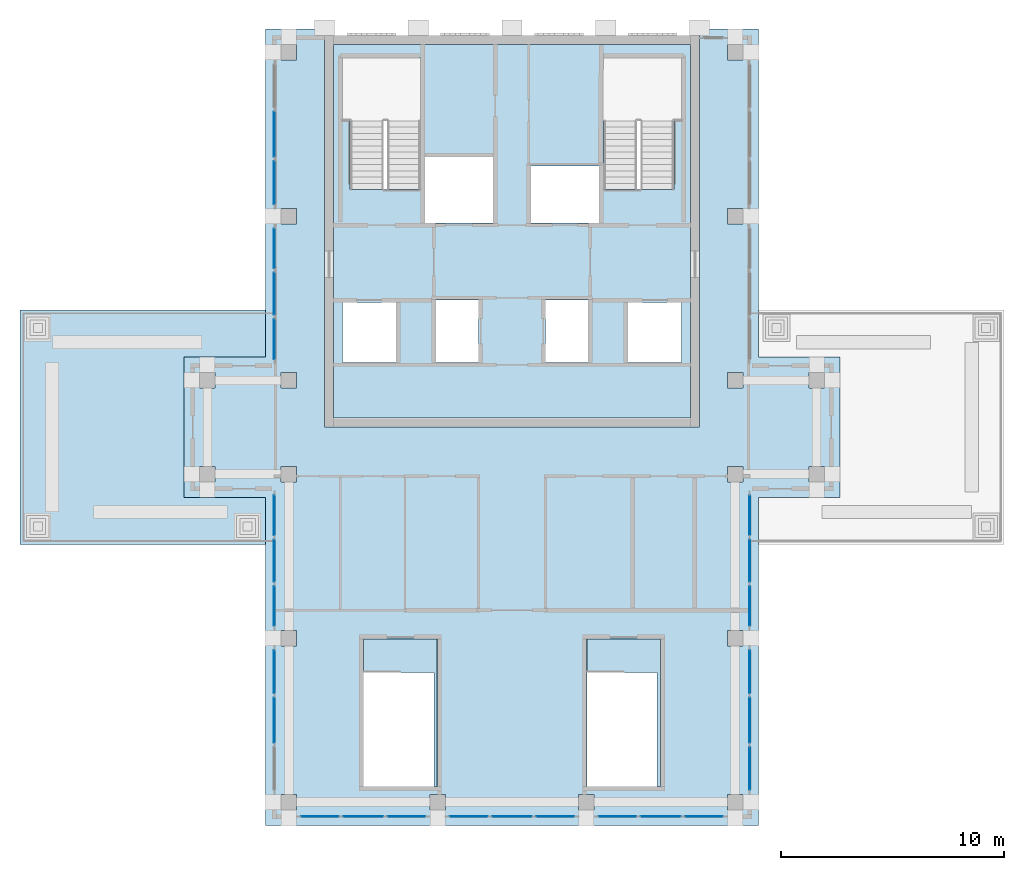
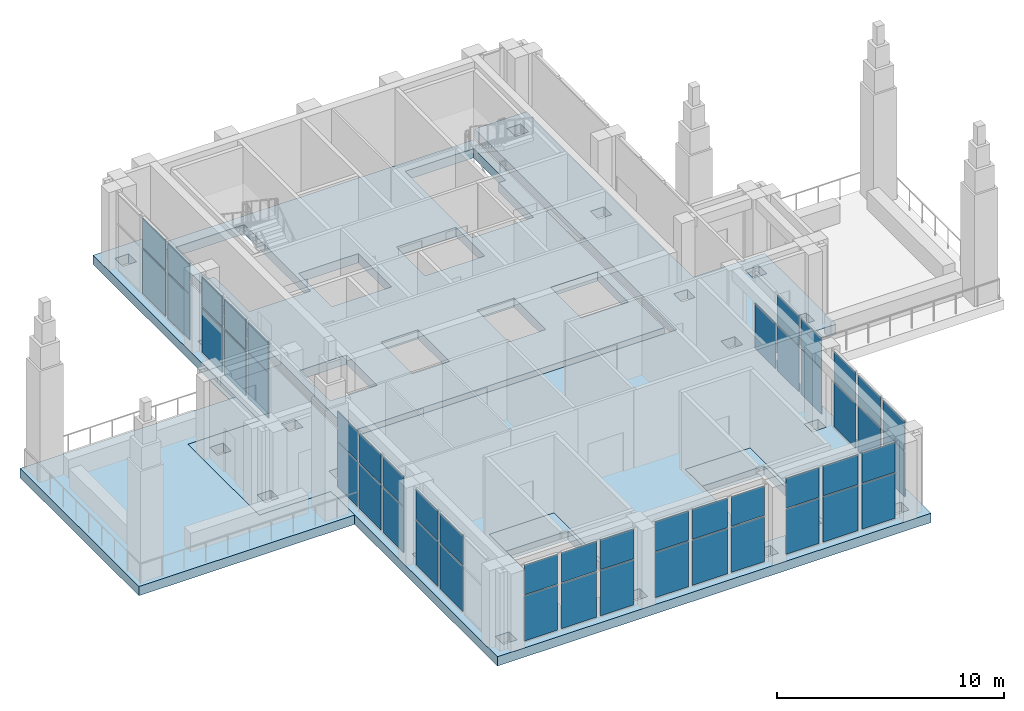
# One storey, part 5 of 12: 49 plates, 5 slabs, 9 elements without a shape of their own.
"""IFC4 building model written with IfcOpenShell, lengths in metres."""

from ifc_helpers import new_model, si_unit, direction, frame, origin, origin_2d, place, context, subcontext, project, spatial, polyline, rectangle, outline, extrude, material, layer, layer_set, type_object, element, aggregate, save


model = new_model("IFC4")

# Units and contexts
model_context = context("Model", 3, precision=1e-05, world=origin(), true_north=direction((0.0, 1.0)))
body_context = subcontext(model_context, "Body", "Model", "MODEL_VIEW")
ifc_project = project(units=[si_unit("LENGTHUNIT", "METRE"), si_unit("AREAUNIT", "SQUARE_METRE"), si_unit("VOLUMEUNIT", "CUBIC_METRE"), si_unit("PLANEANGLEUNIT", "RADIAN"), si_unit("MASSUNIT", "GRAM", prefix="KILO")], contexts=[model_context])

# Site, building, storey
site_placement = place(None, origin())
site = spatial("IfcSite", under=ifc_project, at=site_placement, CompositionType="ELEMENT")
building_placement = place(site_placement, origin())
building = spatial("IfcBuilding", under=site, at=building_placement, Name="Vermilion Ogive Tower", CompositionType="ELEMENT")
storey_placement = place(building_placement, frame((0.0, 0.0, 298.35009765625)))
storey = spatial("IfcBuildingStorey", under=building, at=storey_placement, Name="L77", CompositionType="ELEMENT", Elevation=298.35009765625)

# Curtain wall, plates
ifc_material_1 = material(Name="Low-iron laminated glazing in aluminium frame", Category="aluminium")
curtain_wall_type = type_object("IfcCurtainWallType", Name="Curtain wall CW3", PredefinedType="NOTDEFINED", material=ifc_material_1)
curtain_wall_1_placement = place(storey_placement, origin())
curtain_wall_1 = element("IfcCurtainWall", 1, at=curtain_wall_1_placement, inside=storey, type_object=curtain_wall_type, Name="CW3 glazing S2", PredefinedType="NOTDEFINED")
ifc_material_2 = material(Name="Low-iron laminated glazing in aluminium frame", Category="aluminium")
ifc_layer_1 = layer(ifc_material_2, 0.035888671875)
ifc_layer_set_1 = layer_set([ifc_layer_1], Name="CW3 glazing panel 36")
plate_type = type_object("IfcPlateType", Name="CW3 glazing panel 36", PredefinedType="CURTAIN_PANEL", material=ifc_layer_set_1)
plate_1_placement = place(storey_placement, frame((-8.60546875, -13.25, 0.06005859375), z_axis=(0.0, 0.0, 1.0), x_axis=(1.0, 0.0, 0.0)))
plate_1 = element("IfcPlate", 2, at=plate_1_placement, type_object=plate_type, Name="CW3-S2 panel 1.1", PredefinedType="CURTAIN_PANEL", context=body_context, shape_type="SweptSolid", body=[
    extrude(rectangle(XDim=1.68896484375, YDim=0.035888671875, at=origin_2d()), origin(), (0.0, 0.0, 1.0), 2.429931640625),
])
plate_2_placement = place(storey_placement, frame((-8.60546875, -13.25, 2.5498046875), z_axis=(0.0, 0.0, 1.0), x_axis=(1.0, 0.0, 0.0)))
plate_2 = element("IfcPlate", 3, at=plate_2_placement, type_object=plate_type, Name="CW3-S2 panel 1.2", PredefinedType="CURTAIN_PANEL", context=body_context, shape_type="SweptSolid", body=[
    extrude(rectangle(XDim=1.68896484375, YDim=0.035888671875, at=origin_2d()), origin(), (0.0, 0.0, 1.0), 1.590087890625),
])
plate_3_placement = place(storey_placement, frame((-6.666748046875, -13.25, 0.06005859375), z_axis=(0.0, 0.0, 1.0), x_axis=(1.0, 0.0, 0.0)))
plate_3 = element("IfcPlate", 4, at=plate_3_placement, type_object=plate_type, Name="CW3-S2 panel 2.1", PredefinedType="CURTAIN_PANEL", context=body_context, shape_type="SweptSolid", body=[
    extrude(rectangle(XDim=1.788818359375, YDim=0.035888671875, at=origin_2d()), origin(), (0.0, 0.0, 1.0), 2.429931640625),
])
plate_4_placement = place(storey_placement, frame((-6.666748046875, -13.25, 2.5498046875), z_axis=(0.0, 0.0, 1.0), x_axis=(1.0, 0.0, 0.0)))
plate_4 = element("IfcPlate", 5, at=plate_4_placement, type_object=plate_type, Name="CW3-S2 panel 2.2", PredefinedType="CURTAIN_PANEL", context=body_context, shape_type="SweptSolid", body=[
    extrude(rectangle(XDim=1.788818359375, YDim=0.035888671875, at=origin_2d()), origin(), (0.0, 0.0, 1.0), 1.590087890625),
])
plate_5_placement = place(storey_placement, frame((-4.727783203125, -13.25, 0.06005859375), z_axis=(0.0, 0.0, 1.0), x_axis=(1.0, 0.0, 0.0)))
plate_5 = element("IfcPlate", 6, at=plate_5_placement, type_object=plate_type, Name="CW3-S2 panel 3.1", PredefinedType="CURTAIN_PANEL", context=body_context, shape_type="SweptSolid", body=[
    extrude(rectangle(XDim=1.68896484375, YDim=0.035888671875, at=origin_2d()), origin(), (0.0, 0.0, 1.0), 2.429931640625),
])
plate_6_placement = place(storey_placement, frame((-4.727783203125, -13.25, 2.5498046875), z_axis=(0.0, 0.0, 1.0), x_axis=(1.0, 0.0, 0.0)))
plate_6 = element("IfcPlate", 7, at=plate_6_placement, type_object=plate_type, Name="CW3-S2 panel 3.2", PredefinedType="CURTAIN_PANEL", context=body_context, shape_type="SweptSolid", body=[
    extrude(rectangle(XDim=1.68896484375, YDim=0.035888671875, at=origin_2d()), origin(), (0.0, 0.0, 1.0), 1.590087890625),
])
aggregate(curtain_wall_1, [plate_1, plate_2, plate_3, plate_4, plate_5, plate_6])

curtain_wall_2_placement = place(storey_placement, origin())
curtain_wall_2 = element("IfcCurtainWall", 8, at=curtain_wall_2_placement, inside=storey, type_object=curtain_wall_type, Name="CW3 glazing S3", PredefinedType="NOTDEFINED")
plate_7_placement = place(storey_placement, frame((-1.93896484375, -13.25, 0.06005859375), z_axis=(0.0, 0.0, 1.0), x_axis=(1.0, 0.0, 0.0)))
plate_7 = element("IfcPlate", 9, at=plate_7_placement, type_object=plate_type, Name="CW3-S3 panel 1.1", PredefinedType="CURTAIN_PANEL", context=body_context, shape_type="SweptSolid", body=[
    extrude(rectangle(XDim=1.68896484375, YDim=0.035888671875, at=origin_2d()), origin(), (0.0, 0.0, 1.0), 2.429931640625),
])
plate_8_placement = place(storey_placement, frame((-1.93896484375, -13.25, 2.5498046875), z_axis=(0.0, 0.0, 1.0), x_axis=(1.0, 0.0, 0.0)))
plate_8 = element("IfcPlate", 10, at=plate_8_placement, type_object=plate_type, Name="CW3-S3 panel 1.2", PredefinedType="CURTAIN_PANEL", context=body_context, shape_type="SweptSolid", body=[
    extrude(rectangle(XDim=1.68896484375, YDim=0.035888671875, at=origin_2d()), origin(), (0.0, 0.0, 1.0), 1.590087890625),
])
plate_9_placement = place(storey_placement, frame((0.0, -13.25, 0.06005859375), z_axis=(0.0, 0.0, 1.0), x_axis=(1.0, 0.0, 0.0)))
plate_9 = element("IfcPlate", 11, at=plate_9_placement, type_object=plate_type, Name="CW3-S3 panel 2.1", PredefinedType="CURTAIN_PANEL", context=body_context, shape_type="SweptSolid", body=[
    extrude(rectangle(XDim=1.788818359375, YDim=0.035888671875, at=origin_2d()), origin(), (0.0, 0.0, 1.0), 2.429931640625),
])
plate_10_placement = place(storey_placement, frame((0.0, -13.25, 2.5498046875), z_axis=(0.0, 0.0, 1.0), x_axis=(1.0, 0.0, 0.0)))
plate_10 = element("IfcPlate", 12, at=plate_10_placement, type_object=plate_type, Name="CW3-S3 panel 2.2", PredefinedType="CURTAIN_PANEL", context=body_context, shape_type="SweptSolid", body=[
    extrude(rectangle(XDim=1.788818359375, YDim=0.035888671875, at=origin_2d()), origin(), (0.0, 0.0, 1.0), 1.590087890625),
])
plate_11_placement = place(storey_placement, frame((1.93896484375, -13.25, 0.06005859375), z_axis=(0.0, 0.0, 1.0), x_axis=(1.0, 0.0, 0.0)))
plate_11 = element("IfcPlate", 13, at=plate_11_placement, type_object=plate_type, Name="CW3-S3 panel 3.1", PredefinedType="CURTAIN_PANEL", context=body_context, shape_type="SweptSolid", body=[
    extrude(rectangle(XDim=1.68896484375, YDim=0.035888671875, at=origin_2d()), origin(), (0.0, 0.0, 1.0), 2.429931640625),
])
plate_12_placement = place(storey_placement, frame((1.93896484375, -13.25, 2.5498046875), z_axis=(0.0, 0.0, 1.0), x_axis=(1.0, 0.0, 0.0)))
plate_12 = element("IfcPlate", 14, at=plate_12_placement, type_object=plate_type, Name="CW3-S3 panel 3.2", PredefinedType="CURTAIN_PANEL", context=body_context, shape_type="SweptSolid", body=[
    extrude(rectangle(XDim=1.68896484375, YDim=0.035888671875, at=origin_2d()), origin(), (0.0, 0.0, 1.0), 1.590087890625),
])
aggregate(curtain_wall_2, [plate_7, plate_8, plate_9, plate_10, plate_11, plate_12])

curtain_wall_3_placement = place(storey_placement, origin())
curtain_wall_3 = element("IfcCurtainWall", 15, at=curtain_wall_3_placement, inside=storey, type_object=curtain_wall_type, Name="CW3 glazing S4", PredefinedType="NOTDEFINED")
plate_13_placement = place(storey_placement, frame((4.727783203125, -13.25, 0.06005859375), z_axis=(0.0, 0.0, 1.0), x_axis=(1.0, 0.0, 0.0)))
plate_13 = element("IfcPlate", 16, at=plate_13_placement, type_object=plate_type, Name="CW3-S4 panel 1.1", PredefinedType="CURTAIN_PANEL", context=body_context, shape_type="SweptSolid", body=[
    extrude(rectangle(XDim=1.68896484375, YDim=0.035888671875, at=origin_2d()), origin(), (0.0, 0.0, 1.0), 2.429931640625),
])
plate_14_placement = place(storey_placement, frame((4.727783203125, -13.25, 2.5498046875), z_axis=(0.0, 0.0, 1.0), x_axis=(1.0, 0.0, 0.0)))
plate_14 = element("IfcPlate", 17, at=plate_14_placement, type_object=plate_type, Name="CW3-S4 panel 1.2", PredefinedType="CURTAIN_PANEL", context=body_context, shape_type="SweptSolid", body=[
    extrude(rectangle(XDim=1.68896484375, YDim=0.035888671875, at=origin_2d()), origin(), (0.0, 0.0, 1.0), 1.590087890625),
])
plate_15_placement = place(storey_placement, frame((6.666748046875, -13.25, 0.06005859375), z_axis=(0.0, 0.0, 1.0), x_axis=(1.0, 0.0, 0.0)))
plate_15 = element("IfcPlate", 18, at=plate_15_placement, type_object=plate_type, Name="CW3-S4 panel 2.1", PredefinedType="CURTAIN_PANEL", context=body_context, shape_type="SweptSolid", body=[
    extrude(rectangle(XDim=1.788818359375, YDim=0.035888671875, at=origin_2d()), origin(), (0.0, 0.0, 1.0), 2.429931640625),
])
plate_16_placement = place(storey_placement, frame((6.666748046875, -13.25, 2.5498046875), z_axis=(0.0, 0.0, 1.0), x_axis=(1.0, 0.0, 0.0)))
plate_16 = element("IfcPlate", 19, at=plate_16_placement, type_object=plate_type, Name="CW3-S4 panel 2.2", PredefinedType="CURTAIN_PANEL", context=body_context, shape_type="SweptSolid", body=[
    extrude(rectangle(XDim=1.788818359375, YDim=0.035888671875, at=origin_2d()), origin(), (0.0, 0.0, 1.0), 1.590087890625),
])
plate_17_placement = place(storey_placement, frame((8.60546875, -13.25, 0.06005859375), z_axis=(0.0, 0.0, 1.0), x_axis=(1.0, 0.0, 0.0)))
plate_17 = element("IfcPlate", 20, at=plate_17_placement, type_object=plate_type, Name="CW3-S4 panel 3.1", PredefinedType="CURTAIN_PANEL", context=body_context, shape_type="SweptSolid", body=[
    extrude(rectangle(XDim=1.68896484375, YDim=0.035888671875, at=origin_2d()), origin(), (0.0, 0.0, 1.0), 2.429931640625),
])
plate_18_placement = place(storey_placement, frame((8.60546875, -13.25, 2.5498046875), z_axis=(0.0, 0.0, 1.0), x_axis=(1.0, 0.0, 0.0)))
plate_18 = element("IfcPlate", 21, at=plate_18_placement, type_object=plate_type, Name="CW3-S4 panel 3.2", PredefinedType="CURTAIN_PANEL", context=body_context, shape_type="SweptSolid", body=[
    extrude(rectangle(XDim=1.68896484375, YDim=0.035888671875, at=origin_2d()), origin(), (0.0, 0.0, 1.0), 1.590087890625),
])
aggregate(curtain_wall_3, [plate_13, plate_14, plate_15, plate_16, plate_17, plate_18])

curtain_wall_4_placement = place(storey_placement, origin())
curtain_wall_4 = element("IfcCurtainWall", 22, at=curtain_wall_4_placement, inside=storey, type_object=curtain_wall_type, Name="CW3 glazing X12", PredefinedType="NOTDEFINED")
plate_19_placement = place(storey_placement, frame((10.64990234375, -11.091552734375, 0.06005859375), z_axis=(0.0, 0.0, 1.0), x_axis=(0.0, 1.0, 0.0)))
plate_19 = element("IfcPlate", 23, at=plate_19_placement, type_object=plate_type, Name="CW3-X12 panel 1.1", PredefinedType="CURTAIN_PANEL", context=body_context, shape_type="SweptSolid", body=[
    extrude(rectangle(XDim=1.916748046875, YDim=0.035888671875, at=origin_2d()), origin(), (0.0, 0.0, 1.0), 2.429931640625),
])
plate_20_placement = place(storey_placement, frame((10.64990234375, -11.091552734375, 2.5498046875), z_axis=(0.0, 0.0, 1.0), x_axis=(0.0, 1.0, 0.0)))
plate_20 = element("IfcPlate", 24, at=plate_20_placement, type_object=plate_type, Name="CW3-X12 panel 1.2", PredefinedType="CURTAIN_PANEL", context=body_context, shape_type="SweptSolid", body=[
    extrude(rectangle(XDim=1.916748046875, YDim=0.035888671875, at=origin_2d()), origin(), (0.0, 0.0, 1.0), 1.590087890625),
])
plate_21_placement = place(storey_placement, frame((10.64990234375, -8.925048828125, 0.06005859375), z_axis=(0.0, 0.0, 1.0), x_axis=(0.0, 1.0, 0.0)))
plate_21 = element("IfcPlate", 25, at=plate_21_placement, type_object=plate_type, Name="CW3-X12 panel 2.1", PredefinedType="CURTAIN_PANEL", context=body_context, shape_type="SweptSolid", body=[
    extrude(rectangle(XDim=2.0166015625, YDim=0.035888671875, at=origin_2d()), origin(), (0.0, 0.0, 1.0), 2.429931640625),
])
plate_22_placement = place(storey_placement, frame((10.64990234375, -8.925048828125, 2.5498046875), z_axis=(0.0, 0.0, 1.0), x_axis=(0.0, 1.0, 0.0)))
plate_22 = element("IfcPlate", 26, at=plate_22_placement, type_object=plate_type, Name="CW3-X12 panel 2.2", PredefinedType="CURTAIN_PANEL", context=body_context, shape_type="SweptSolid", body=[
    extrude(rectangle(XDim=2.0166015625, YDim=0.035888671875, at=origin_2d()), origin(), (0.0, 0.0, 1.0), 1.590087890625),
])
plate_23_placement = place(storey_placement, frame((10.64990234375, -6.75830078125, 0.06005859375), z_axis=(0.0, 0.0, 1.0), x_axis=(0.0, 1.0, 0.0)))
plate_23 = element("IfcPlate", 27, at=plate_23_placement, type_object=plate_type, Name="CW3-X12 panel 3.1", PredefinedType="CURTAIN_PANEL", context=body_context, shape_type="SweptSolid", body=[
    extrude(rectangle(XDim=1.916748046875, YDim=0.035888671875, at=origin_2d()), origin(), (0.0, 0.0, 1.0), 2.429931640625),
])
plate_24_placement = place(storey_placement, frame((10.64990234375, -6.75830078125, 2.5498046875), z_axis=(0.0, 0.0, 1.0), x_axis=(0.0, 1.0, 0.0)))
plate_24 = element("IfcPlate", 28, at=plate_24_placement, type_object=plate_type, Name="CW3-X12 panel 3.2", PredefinedType="CURTAIN_PANEL", context=body_context, shape_type="SweptSolid", body=[
    extrude(rectangle(XDim=1.916748046875, YDim=0.035888671875, at=origin_2d()), origin(), (0.0, 0.0, 1.0), 1.590087890625),
])
aggregate(curtain_wall_4, [plate_19, plate_20, plate_21, plate_22, plate_23, plate_24])

curtain_wall_5_placement = place(storey_placement, origin())
curtain_wall_5 = element("IfcCurtainWall", 29, at=curtain_wall_5_placement, inside=storey, type_object=curtain_wall_type, Name="CW3 glazing X13", PredefinedType="NOTDEFINED")
plate_25_placement = place(storey_placement, frame((10.64990234375, -3.808349609375, 0.06005859375), z_axis=(0.0, 0.0, 1.0), x_axis=(0.0, 1.0, 0.0)))
plate_25 = element("IfcPlate", 30, at=plate_25_placement, type_object=plate_type, Name="CW3-X13 panel 1.1", PredefinedType="CURTAIN_PANEL", context=body_context, shape_type="SweptSolid", body=[
    extrude(rectangle(XDim=1.783447265625, YDim=0.035888671875, at=origin_2d()), origin(), (0.0, 0.0, 1.0), 2.429931640625),
])
plate_26_placement = place(storey_placement, frame((10.64990234375, -3.808349609375, 2.5498046875), z_axis=(0.0, 0.0, 1.0), x_axis=(0.0, 1.0, 0.0)))
plate_26 = element("IfcPlate", 31, at=plate_26_placement, type_object=plate_type, Name="CW3-X13 panel 1.2", PredefinedType="CURTAIN_PANEL", context=body_context, shape_type="SweptSolid", body=[
    extrude(rectangle(XDim=1.783447265625, YDim=0.035888671875, at=origin_2d()), origin(), (0.0, 0.0, 1.0), 1.590087890625),
])
plate_27_placement = place(storey_placement, frame((10.64990234375, -1.77490234375, 0.06005859375), z_axis=(0.0, 0.0, 1.0), x_axis=(0.0, 1.0, 0.0)))
plate_27 = element("IfcPlate", 32, at=plate_27_placement, type_object=plate_type, Name="CW3-X13 panel 2.1", PredefinedType="CURTAIN_PANEL", context=body_context, shape_type="SweptSolid", body=[
    extrude(rectangle(XDim=1.88330078125, YDim=0.035888671875, at=origin_2d()), origin(), (0.0, 0.0, 1.0), 2.429931640625),
])
plate_28_placement = place(storey_placement, frame((10.64990234375, -1.77490234375, 2.5498046875), z_axis=(0.0, 0.0, 1.0), x_axis=(0.0, 1.0, 0.0)))
plate_28 = element("IfcPlate", 33, at=plate_28_placement, type_object=plate_type, Name="CW3-X13 panel 2.2", PredefinedType="CURTAIN_PANEL", context=body_context, shape_type="SweptSolid", body=[
    extrude(rectangle(XDim=1.88330078125, YDim=0.035888671875, at=origin_2d()), origin(), (0.0, 0.0, 1.0), 1.590087890625),
])
plate_29_placement = place(storey_placement, frame((10.64990234375, 0.25830078125, 0.06005859375), z_axis=(0.0, 0.0, 1.0), x_axis=(0.0, 1.0, 0.0)))
plate_29 = element("IfcPlate", 34, at=plate_29_placement, type_object=plate_type, Name="CW3-X13 panel 3.1", PredefinedType="CURTAIN_PANEL", context=body_context, shape_type="SweptSolid", body=[
    extrude(rectangle(XDim=1.783447265625, YDim=0.035888671875, at=origin_2d()), origin(), (0.0, 0.0, 1.0), 2.429931640625),
])
aggregate(curtain_wall_5, [plate_25, plate_26, plate_27, plate_28, plate_29])

curtain_wall_6_placement = place(storey_placement, origin())
curtain_wall_6 = element("IfcCurtainWall", 35, at=curtain_wall_6_placement, inside=storey, type_object=curtain_wall_type, Name="CW3 glazing X52", PredefinedType="NOTDEFINED")
plate_30_placement = place(storey_placement, frame((-10.64990234375, 17.324951171875, 0.06005859375), z_axis=(0.0, 0.0, 1.0), x_axis=(0.0, -1.0, 0.0)))
plate_30 = element("IfcPlate", 36, at=plate_30_placement, type_object=plate_type, Name="CW3-X52 panel 2.1", PredefinedType="CURTAIN_PANEL", context=body_context, shape_type="SweptSolid", body=[
    extrude(rectangle(XDim=2.0166015625, YDim=0.035888671875, at=origin_2d()), origin(), (0.0, 0.0, 1.0), 2.429931640625),
])
plate_31_placement = place(storey_placement, frame((-10.64990234375, 17.324951171875, 2.5498046875), z_axis=(0.0, 0.0, 1.0), x_axis=(0.0, -1.0, 0.0)))
plate_31 = element("IfcPlate", 37, at=plate_31_placement, type_object=plate_type, Name="CW3-X52 panel 2.2", PredefinedType="CURTAIN_PANEL", context=body_context, shape_type="SweptSolid", body=[
    extrude(rectangle(XDim=2.0166015625, YDim=0.035888671875, at=origin_2d()), origin(), (0.0, 0.0, 1.0), 1.590087890625),
])
plate_32_placement = place(storey_placement, frame((-10.64990234375, 15.158447265625, 0.06005859375), z_axis=(0.0, 0.0, 1.0), x_axis=(0.0, -1.0, 0.0)))
plate_32 = element("IfcPlate", 38, at=plate_32_placement, type_object=plate_type, Name="CW3-X52 panel 3.1", PredefinedType="CURTAIN_PANEL", context=body_context, shape_type="SweptSolid", body=[
    extrude(rectangle(XDim=1.916748046875, YDim=0.035888671875, at=origin_2d()), origin(), (0.0, 0.0, 1.0), 2.429931640625),
])
plate_33_placement = place(storey_placement, frame((-10.64990234375, 15.158447265625, 2.5498046875), z_axis=(0.0, 0.0, 1.0), x_axis=(0.0, -1.0, 0.0)))
plate_33 = element("IfcPlate", 39, at=plate_33_placement, type_object=plate_type, Name="CW3-X52 panel 3.2", PredefinedType="CURTAIN_PANEL", context=body_context, shape_type="SweptSolid", body=[
    extrude(rectangle(XDim=1.916748046875, YDim=0.035888671875, at=origin_2d()), origin(), (0.0, 0.0, 1.0), 1.590087890625),
])
aggregate(curtain_wall_6, [plate_30, plate_31, plate_32, plate_33])

curtain_wall_7_placement = place(storey_placement, origin())
curtain_wall_7 = element("IfcCurtainWall", 40, at=curtain_wall_7_placement, inside=storey, type_object=curtain_wall_type, Name="CW3 glazing X53", PredefinedType="NOTDEFINED")
plate_34_placement = place(storey_placement, frame((-10.64990234375, 12.208251953125, 0.06005859375), z_axis=(0.0, 0.0, 1.0), x_axis=(0.0, -1.0, 0.0)))
plate_34 = element("IfcPlate", 41, at=plate_34_placement, type_object=plate_type, Name="CW3-X53 panel 1.1", PredefinedType="CURTAIN_PANEL", context=body_context, shape_type="SweptSolid", body=[
    extrude(rectangle(XDim=1.783447265625, YDim=0.035888671875, at=origin_2d()), origin(), (0.0, 0.0, 1.0), 2.429931640625),
])
plate_35_placement = place(storey_placement, frame((-10.64990234375, 12.208251953125, 2.5498046875), z_axis=(0.0, 0.0, 1.0), x_axis=(0.0, -1.0, 0.0)))
plate_35 = element("IfcPlate", 42, at=plate_35_placement, type_object=plate_type, Name="CW3-X53 panel 1.2", PredefinedType="CURTAIN_PANEL", context=body_context, shape_type="SweptSolid", body=[
    extrude(rectangle(XDim=1.783447265625, YDim=0.035888671875, at=origin_2d()), origin(), (0.0, 0.0, 1.0), 1.590087890625),
])
plate_36_placement = place(storey_placement, frame((-10.64990234375, 10.175048828125, 0.06005859375), z_axis=(0.0, 0.0, 1.0), x_axis=(0.0, -1.0, 0.0)))
plate_36 = element("IfcPlate", 43, at=plate_36_placement, type_object=plate_type, Name="CW3-X53 panel 2.1", PredefinedType="CURTAIN_PANEL", context=body_context, shape_type="SweptSolid", body=[
    extrude(rectangle(XDim=1.88330078125, YDim=0.035888671875, at=origin_2d()), origin(), (0.0, 0.0, 1.0), 2.429931640625),
])
plate_37_placement = place(storey_placement, frame((-10.64990234375, 10.175048828125, 2.5498046875), z_axis=(0.0, 0.0, 1.0), x_axis=(0.0, -1.0, 0.0)))
plate_37 = element("IfcPlate", 44, at=plate_37_placement, type_object=plate_type, Name="CW3-X53 panel 2.2", PredefinedType="CURTAIN_PANEL", context=body_context, shape_type="SweptSolid", body=[
    extrude(rectangle(XDim=1.88330078125, YDim=0.035888671875, at=origin_2d()), origin(), (0.0, 0.0, 1.0), 1.590087890625),
])
plate_38_placement = place(storey_placement, frame((-10.64990234375, 8.1416015625, 0.06005859375), z_axis=(0.0, 0.0, 1.0), x_axis=(0.0, -1.0, 0.0)))
plate_38 = element("IfcPlate", 45, at=plate_38_placement, type_object=plate_type, Name="CW3-X53 panel 3.1", PredefinedType="CURTAIN_PANEL", context=body_context, shape_type="SweptSolid", body=[
    extrude(rectangle(XDim=1.783447265625, YDim=0.035888671875, at=origin_2d()), origin(), (0.0, 0.0, 1.0), 2.429931640625),
])
plate_39_placement = place(storey_placement, frame((-10.64990234375, 8.1416015625, 2.5498046875), z_axis=(0.0, 0.0, 1.0), x_axis=(0.0, -1.0, 0.0)))
plate_39 = element("IfcPlate", 46, at=plate_39_placement, type_object=plate_type, Name="CW3-X53 panel 3.2", PredefinedType="CURTAIN_PANEL", context=body_context, shape_type="SweptSolid", body=[
    extrude(rectangle(XDim=1.783447265625, YDim=0.035888671875, at=origin_2d()), origin(), (0.0, 0.0, 1.0), 1.590087890625),
])
aggregate(curtain_wall_7, [plate_34, plate_35, plate_36, plate_37, plate_38, plate_39])

curtain_wall_8_placement = place(storey_placement, origin())
curtain_wall_8 = element("IfcCurtainWall", 47, at=curtain_wall_8_placement, inside=storey, type_object=curtain_wall_type, Name="CW3 glazing X81", PredefinedType="NOTDEFINED")
plate_40_placement = place(storey_placement, frame((-10.64990234375, 0.25830078125, 0.06005859375), z_axis=(0.0, 0.0, 1.0), x_axis=(0.0, -1.0, 0.0)))
plate_40 = element("IfcPlate", 48, at=plate_40_placement, type_object=plate_type, Name="CW3-X81 panel 1.1", PredefinedType="CURTAIN_PANEL", context=body_context, shape_type="SweptSolid", body=[
    extrude(rectangle(XDim=1.783447265625, YDim=0.035888671875, at=origin_2d()), origin(), (0.0, 0.0, 1.0), 2.429931640625),
])
plate_41_placement = place(storey_placement, frame((-10.64990234375, 0.25830078125, 2.5498046875), z_axis=(0.0, 0.0, 1.0), x_axis=(0.0, -1.0, 0.0)))
plate_41 = element("IfcPlate", 49, at=plate_41_placement, type_object=plate_type, Name="CW3-X81 panel 1.2", PredefinedType="CURTAIN_PANEL", context=body_context, shape_type="SweptSolid", body=[
    extrude(rectangle(XDim=1.783447265625, YDim=0.035888671875, at=origin_2d()), origin(), (0.0, 0.0, 1.0), 1.590087890625),
])
plate_42_placement = place(storey_placement, frame((-10.64990234375, -1.77490234375, 0.06005859375), z_axis=(0.0, 0.0, 1.0), x_axis=(0.0, -1.0, 0.0)))
plate_42 = element("IfcPlate", 50, at=plate_42_placement, type_object=plate_type, Name="CW3-X81 panel 2.1", PredefinedType="CURTAIN_PANEL", context=body_context, shape_type="SweptSolid", body=[
    extrude(rectangle(XDim=1.88330078125, YDim=0.035888671875, at=origin_2d()), origin(), (0.0, 0.0, 1.0), 2.429931640625),
])
plate_43_placement = place(storey_placement, frame((-10.64990234375, -1.77490234375, 2.5498046875), z_axis=(0.0, 0.0, 1.0), x_axis=(0.0, -1.0, 0.0)))
plate_43 = element("IfcPlate", 51, at=plate_43_placement, type_object=plate_type, Name="CW3-X81 panel 2.2", PredefinedType="CURTAIN_PANEL", context=body_context, shape_type="SweptSolid", body=[
    extrude(rectangle(XDim=1.88330078125, YDim=0.035888671875, at=origin_2d()), origin(), (0.0, 0.0, 1.0), 1.590087890625),
])
plate_44_placement = place(storey_placement, frame((-10.64990234375, -3.808349609375, 0.06005859375), z_axis=(0.0, 0.0, 1.0), x_axis=(0.0, -1.0, 0.0)))
plate_44 = element("IfcPlate", 52, at=plate_44_placement, type_object=plate_type, Name="CW3-X81 panel 3.1", PredefinedType="CURTAIN_PANEL", context=body_context, shape_type="SweptSolid", body=[
    extrude(rectangle(XDim=1.783447265625, YDim=0.035888671875, at=origin_2d()), origin(), (0.0, 0.0, 1.0), 2.429931640625),
])
plate_45_placement = place(storey_placement, frame((-10.64990234375, -3.808349609375, 2.5498046875), z_axis=(0.0, 0.0, 1.0), x_axis=(0.0, -1.0, 0.0)))
plate_45 = element("IfcPlate", 53, at=plate_45_placement, type_object=plate_type, Name="CW3-X81 panel 3.2", PredefinedType="CURTAIN_PANEL", context=body_context, shape_type="SweptSolid", body=[
    extrude(rectangle(XDim=1.783447265625, YDim=0.035888671875, at=origin_2d()), origin(), (0.0, 0.0, 1.0), 1.590087890625),
])
aggregate(curtain_wall_8, [plate_40, plate_41, plate_42, plate_43, plate_44, plate_45])

curtain_wall_9_placement = place(storey_placement, origin())
curtain_wall_9 = element("IfcCurtainWall", 54, at=curtain_wall_9_placement, inside=storey, type_object=curtain_wall_type, Name="CW3 glazing X82", PredefinedType="NOTDEFINED")
plate_46_placement = place(storey_placement, frame((-10.64990234375, -6.75830078125, 0.06005859375), z_axis=(0.0, 0.0, 1.0), x_axis=(0.0, -1.0, 0.0)))
plate_46 = element("IfcPlate", 55, at=plate_46_placement, type_object=plate_type, Name="CW3-X82 panel 1.1", PredefinedType="CURTAIN_PANEL", context=body_context, shape_type="SweptSolid", body=[
    extrude(rectangle(XDim=1.916748046875, YDim=0.035888671875, at=origin_2d()), origin(), (0.0, 0.0, 1.0), 2.429931640625),
])
plate_47_placement = place(storey_placement, frame((-10.64990234375, -6.75830078125, 2.5498046875), z_axis=(0.0, 0.0, 1.0), x_axis=(0.0, -1.0, 0.0)))
plate_47 = element("IfcPlate", 56, at=plate_47_placement, type_object=plate_type, Name="CW3-X82 panel 1.2", PredefinedType="CURTAIN_PANEL", context=body_context, shape_type="SweptSolid", body=[
    extrude(rectangle(XDim=1.916748046875, YDim=0.035888671875, at=origin_2d()), origin(), (0.0, 0.0, 1.0), 1.590087890625),
])
plate_48_placement = place(storey_placement, frame((-10.64990234375, -8.925048828125, 0.06005859375), z_axis=(0.0, 0.0, 1.0), x_axis=(0.0, -1.0, 0.0)))
plate_48 = element("IfcPlate", 57, at=plate_48_placement, type_object=plate_type, Name="CW3-X82 panel 2.1", PredefinedType="CURTAIN_PANEL", context=body_context, shape_type="SweptSolid", body=[
    extrude(rectangle(XDim=2.0166015625, YDim=0.035888671875, at=origin_2d()), origin(), (0.0, 0.0, 1.0), 2.429931640625),
])
plate_49_placement = place(storey_placement, frame((-10.64990234375, -8.925048828125, 2.5498046875), z_axis=(0.0, 0.0, 1.0), x_axis=(0.0, -1.0, 0.0)))
plate_49 = element("IfcPlate", 58, at=plate_49_placement, type_object=plate_type, Name="CW3-X82 panel 2.2", PredefinedType="CURTAIN_PANEL", context=body_context, shape_type="SweptSolid", body=[
    extrude(rectangle(XDim=2.0166015625, YDim=0.035888671875, at=origin_2d()), origin(), (0.0, 0.0, 1.0), 1.590087890625),
])
aggregate(curtain_wall_9, [plate_46, plate_47, plate_48, plate_49])

# Slabs
ifc_material_3 = material(Name="Concrete B40", Category="concrete")
ifc_layer_2 = layer(ifc_material_3, 0.5)
ifc_layer_set_2 = layer_set([ifc_layer_2], Name="Core floor slab 500 B40")
slab_type_1 = type_object("IfcSlabType", Name="Core floor slab 500 B40", PredefinedType="FLOOR", material=ifc_layer_set_2)
slab_1_placement = place(storey_placement, frame((0.0, 0.0, -0.5)))
element("IfcSlab", 59, at=slab_1_placement, inside=storey, type_object=slab_type_1, Name="L77-CK-FS1", PredefinedType="FLOOR", context=body_context, shape_type="SweptSolid", body=[
    extrude(outline(polyline([(-7.99609375, 4.60400390625), (7.99609375, 4.60400390625), (7.99609375, 21.345947265625), (-7.99609375, 21.345947265625), (-7.99609375, 4.60400390625)]), holes=[polyline([(-5.199951171875, 7.10009765625), (-7.60009765625, 7.10009765625), (-7.60009765625, 9.800048828125), (-5.199951171875, 9.800048828125), (-5.199951171875, 7.10009765625)]), polyline([(5.199951171875, 7.10009765625), (5.199951171875, 9.800048828125), (7.60009765625, 9.800048828125), (7.60009765625, 7.10009765625), (5.199951171875, 7.10009765625)]), polyline([(-3.39990234375, 7.10009765625), (-3.39990234375, 9.89990234375), (-1.5, 9.89990234375), (-1.5, 7.10009765625), (-3.39990234375, 7.10009765625)]), polyline([(3.39990234375, 7.10009765625), (1.5, 7.10009765625), (1.5, 9.89990234375), (3.39990234375, 9.89990234375), (3.39990234375, 7.10009765625)]), polyline([(3.89990234375, 13.35009765625), (0.85009765625, 13.35009765625), (0.85009765625, 15.89990234375), (3.89990234375, 15.89990234375), (3.89990234375, 13.35009765625)]), polyline([(-0.85009765625, 13.35009765625), (-3.89990234375, 13.35009765625), (-3.89990234375, 16.300048828125), (-0.85009765625, 16.300048828125), (-0.85009765625, 13.35009765625)]), polyline([(-7.60009765625, 17.929931640625), (-7.60009765625, 20.75), (-4.10009765625, 20.75), (-4.10009765625, 14.85205078125), (-5.60009765625, 14.85205078125), (-5.60009765625, 14.85009765625), (-5.75, 14.85009765625), (-5.75, 14.85205078125), (-7.25, 14.85205078125), (-7.25, 17.929931640625), (-7.60009765625, 17.929931640625)]), polyline([(5.75, 14.85009765625), (5.60009765625, 14.85009765625), (5.60009765625, 14.85205078125), (4.10009765625, 14.85205078125), (4.10009765625, 20.75), (7.60009765625, 20.75), (7.60009765625, 17.929931640625), (7.25, 17.929931640625), (7.25, 14.85205078125), (5.75, 14.85205078125), (5.75, 14.85009765625)])]), origin(), (0.0, 0.0, 1.0), 0.5),
])
slab_2_placement = place(storey_placement, frame((0.0, 0.0, -0.5)))
element("IfcSlab", 60, at=slab_2_placement, inside=storey, type_object=slab_type_1, Name="L77-SF-ST6-1", PredefinedType="FLOOR", context=body_context, shape_type="SweptSolid", body=[
    extrude(outline(polyline([(6.64990234375, -5.300048828125), (3.35009765625, -5.300048828125), (3.35009765625, -6.800048828125), (5.0, -6.800048828125), (5.0, -6.802001953125), (6.5, -6.802001953125), (6.5, -11.89990234375), (6.64990234375, -11.89990234375), (6.64990234375, -5.300048828125)])), origin(), (0.0, 0.0, 1.0), 0.5),
])
slab_3_placement = place(storey_placement, frame((0.0, 0.0, -0.5)))
element("IfcSlab", 61, at=slab_3_placement, inside=storey, type_object=slab_type_1, Name="L77-SF-ST7-1", PredefinedType="FLOOR", context=body_context, shape_type="SweptSolid", body=[
    extrude(outline(polyline([(-3.35009765625, -5.300048828125), (-6.64990234375, -5.300048828125), (-6.64990234375, -6.800048828125), (-5.0, -6.800048828125), (-5.0, -6.802001953125), (-3.5, -6.802001953125), (-3.5, -11.89990234375), (-3.35009765625, -11.89990234375), (-3.35009765625, -5.300048828125)])), origin(), (0.0, 0.0, 1.0), 0.5),
])
ifc_material_4 = material(Name="Concrete B45", Category="concrete")
ifc_layer_3 = layer(ifc_material_4, 0.5)
ifc_layer_set_3 = layer_set([ifc_layer_3], Name="Post-tensioned flat plate 500 B45")
slab_type_2 = type_object("IfcSlabType", Name="Post-tensioned flat plate 500 B45", PredefinedType="FLOOR", material=ifc_layer_set_3)
slab_4_placement = place(storey_placement, frame((0.0, 0.0, -0.5)))
element("IfcSlab", 62, at=slab_4_placement, inside=storey, type_object=slab_type_2, Name="L77-SL-1", PredefinedType="FLOOR", context=body_context, shape_type="SweptSolid", body=[
    extrude(outline(polyline([(-11.050048828125, 1.050048828125), (-14.699951171875, 1.050048828125), (-14.699951171875, 7.35009765625), (-11.050048828125, 7.35009765625), (-11.050048828125, 22.050048828125), (-8.39990234375, 22.050048828125), (-8.39990234375, 4.199951171875), (8.39990234375, 4.199951171875), (8.39990234375, 22.050048828125), (11.050048828125, 22.050048828125), (11.050048828125, 7.35009765625), (14.699951171875, 7.35009765625), (14.699951171875, 1.050048828125), (11.050048828125, 1.050048828125), (11.050048828125, -13.64990234375), (-11.050048828125, -13.64990234375), (-11.050048828125, 1.050048828125)]), holes=[polyline([(14.0, 5.949951171875), (14.0, 6.64990234375), (13.300048828125, 6.64990234375), (13.300048828125, 5.949951171875), (14.0, 5.949951171875)]), polyline([(14.0, 2.449951171875), (13.300048828125, 2.449951171875), (13.300048828125, 1.75), (14.0, 1.75), (14.0, 2.449951171875)]), polyline([(10.35009765625, 20.64990234375), (10.35009765625, 21.35009765625), (9.64990234375, 21.35009765625), (9.64990234375, 20.64990234375), (10.35009765625, 20.64990234375)]), polyline([(10.35009765625, 13.300048828125), (10.35009765625, 14.0), (9.64990234375, 14.0), (9.64990234375, 13.300048828125), (10.35009765625, 13.300048828125)]), polyline([(10.35009765625, 5.949951171875), (10.35009765625, 6.64990234375), (9.64990234375, 6.64990234375), (9.64990234375, 5.949951171875), (10.35009765625, 5.949951171875)]), polyline([(10.35009765625, 1.75), (10.35009765625, 2.449951171875), (9.64990234375, 2.449951171875), (9.64990234375, 1.75), (10.35009765625, 1.75)]), polyline([(10.35009765625, -5.60009765625), (10.35009765625, -4.89990234375), (9.64990234375, -4.89990234375), (9.64990234375, -5.60009765625), (10.35009765625, -5.60009765625)]), polyline([(10.35009765625, -12.949951171875), (10.35009765625, -12.25), (9.64990234375, -12.25), (9.64990234375, -12.949951171875), (10.35009765625, -12.949951171875)]), polyline([(6.64990234375, -5.300048828125), (3.35009765625, -5.300048828125), (3.35009765625, -11.89990234375), (6.64990234375, -11.89990234375), (6.64990234375, -5.300048828125)]), polyline([(3.683349609375, -12.949951171875), (3.683349609375, -12.25), (2.9833984375, -12.25), (2.9833984375, -12.949951171875), (3.683349609375, -12.949951171875)]), polyline([(-2.9833984375, -12.949951171875), (-2.9833984375, -12.25), (-3.683349609375, -12.25), (-3.683349609375, -12.949951171875), (-2.9833984375, -12.949951171875)]), polyline([(-3.35009765625, -11.89990234375), (-3.35009765625, -5.300048828125), (-6.64990234375, -5.300048828125), (-6.64990234375, -11.89990234375), (-3.35009765625, -11.89990234375)]), polyline([(-9.64990234375, 20.64990234375), (-9.64990234375, 21.35009765625), (-10.35009765625, 21.35009765625), (-10.35009765625, 20.64990234375), (-9.64990234375, 20.64990234375)]), polyline([(-9.64990234375, 13.300048828125), (-9.64990234375, 14.0), (-10.35009765625, 14.0), (-10.35009765625, 13.300048828125), (-9.64990234375, 13.300048828125)]), polyline([(-9.64990234375, 5.949951171875), (-9.64990234375, 6.64990234375), (-10.35009765625, 6.64990234375), (-10.35009765625, 5.949951171875), (-9.64990234375, 5.949951171875)]), polyline([(-9.64990234375, 1.75), (-9.64990234375, 2.449951171875), (-10.35009765625, 2.449951171875), (-10.35009765625, 1.75), (-9.64990234375, 1.75)]), polyline([(-9.64990234375, -4.89990234375), (-10.35009765625, -4.89990234375), (-10.35009765625, -5.60009765625), (-9.64990234375, -5.60009765625), (-9.64990234375, -4.89990234375)]), polyline([(-9.64990234375, -12.25), (-10.35009765625, -12.25), (-10.35009765625, -12.949951171875), (-9.64990234375, -12.949951171875), (-9.64990234375, -12.25)]), polyline([(-13.300048828125, 1.75), (-13.300048828125, 2.449951171875), (-14.0, 2.449951171875), (-14.0, 1.75), (-13.300048828125, 1.75)]), polyline([(-13.300048828125, 5.949951171875), (-13.300048828125, 6.64990234375), (-14.0, 6.64990234375), (-14.0, 5.949951171875), (-13.300048828125, 5.949951171875)])]), origin(), (0.0, 0.0, 1.0), 0.5),
])
slab_5_placement = place(storey_placement, frame((0.0, 0.0, -0.5)))
element("IfcSlab", 63, at=slab_5_placement, inside=storey, type_object=slab_type_2, Name="L77-TR-2", PredefinedType="FLOOR", context=body_context, shape_type="SweptSolid", body=[
    extrude(outline(polyline([(-22.050048828125, 9.449951171875), (-11.050048828125, 9.449951171875), (-11.050048828125, 7.35009765625), (-14.699951171875, 7.35009765625), (-14.699951171875, 1.050048828125), (-11.050048828125, 1.050048828125), (-11.050048828125, -1.050048828125), (-22.050048828125, -1.050048828125), (-22.050048828125, 9.449951171875)])), origin(), (0.0, 0.0, 1.0), 0.5),
])

save(model, "model.ifc")
